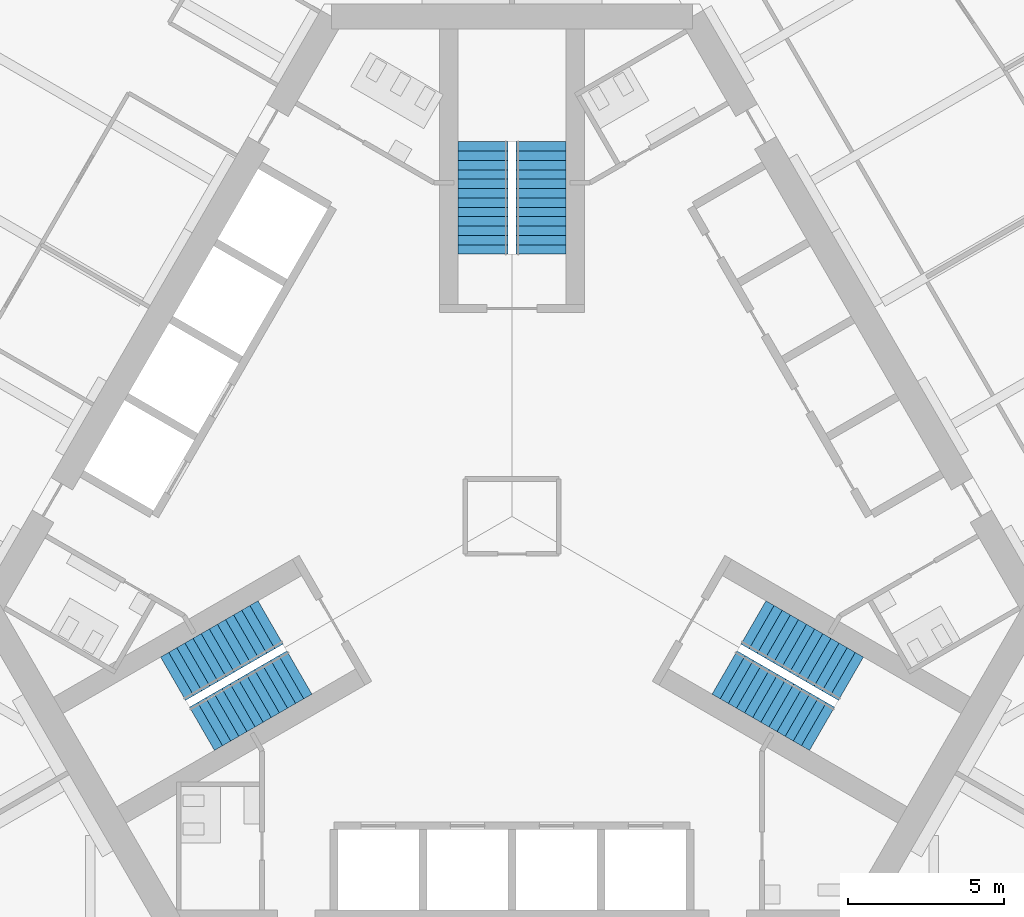
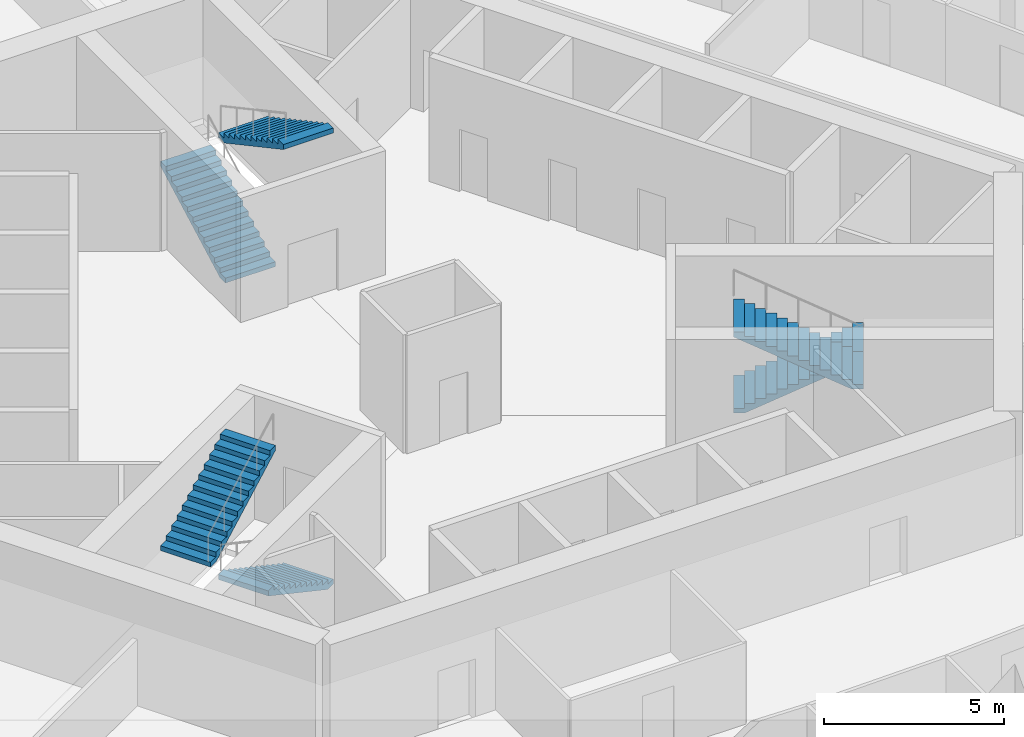
# One storey, part 15 of 20: 6 stair flights, 3 elements without a shape of their own.
"""IFC4 building model written with IfcOpenShell, lengths in metres."""

from ifc_helpers import new_model, si_unit, direction, frame, origin, place, context, subcontext, project, spatial, polyline, outline, extrude, material, type_object, element, aggregate, save


model = new_model("IFC4")

# Units and contexts
model_context = context("Model", 3, precision=1e-05, world=origin(), true_north=direction((0.0, 1.0)))
body_context = subcontext(model_context, "Body", "Model", "MODEL_VIEW")
ifc_project = project(units=[si_unit("LENGTHUNIT", "METRE"), si_unit("AREAUNIT", "SQUARE_METRE"), si_unit("VOLUMEUNIT", "CUBIC_METRE"), si_unit("PLANEANGLEUNIT", "RADIAN"), si_unit("MASSUNIT", "GRAM", prefix="KILO")], contexts=[model_context])

# Site, building, storey
site_placement = place(None, origin())
site = spatial("IfcSite", under=ifc_project, at=site_placement, CompositionType="ELEMENT")
building_placement = place(site_placement, origin())
building = spatial("IfcBuilding", under=site, at=building_placement, Name="Trefoil Bronze Tower", CompositionType="ELEMENT")
storey_placement = place(building_placement, frame((0.0, 0.0, 210.699951171875)))
storey = spatial("IfcBuildingStorey", under=building, at=storey_placement, Name="L48", CompositionType="ELEMENT", Elevation=210.699951171875)

# Stair, stair flights
ifc_material_1 = material(Name="Precast concrete B80", Category="concrete")
stair_type = type_object("IfcStairType", Name="Exit stair 26 risers", PredefinedType="HALF_TURN_STAIR", material=ifc_material_1)
stair_1_placement = place(storey_placement, origin())
stair_1 = element("IfcStair", 1, at=stair_1_placement, inside=storey, type_object=stair_type, Name="Stair ST1 L48", PredefinedType="HALF_TURN_STAIR")
ifc_material_2 = material(Name="Precast concrete B80", Category="concrete")
stair_flight_type = type_object("IfcStairFlightType", Name="Stair flight 1600", PredefinedType="STRAIGHT", material=ifc_material_2)
stair_flight_1_placement = place(storey_placement, frame((7.728515625, -3.39404296875, 0.0), z_axis=(0.0, 0.0, 1.0), x_axis=(0.866025403784, -0.5, 0.0)))
stair_flight_1 = element("IfcStairFlight", 2, at=stair_flight_1_placement, type_object=stair_flight_type, Name="ST1 flight 1", NumberOfRisers=13, NumberOfTreads=12, PredefinedType="STRAIGHT", RiserHeight=0.161538462, TreadLength=0.3, context=body_context, shape_type="SweptSolid", body=[
    extrude(outline(polyline([(0.0, 0.0), (0.0, 0.16162109375), (0.300048828125, 0.16162109375), (0.300048828125, 0.322998046875), (0.60009765625, 0.322998046875), (0.60009765625, 0.484619140625), (0.89990234375, 0.484619140625), (0.89990234375, 0.646240234375), (1.199951171875, 0.646240234375), (1.199951171875, 0.8076171875), (1.5, 0.8076171875), (1.5, 0.96923828125), (1.800048828125, 0.96923828125), (1.800048828125, 1.130859375), (2.10009765625, 1.130859375), (2.10009765625, 1.292236328125), (2.39990234375, 1.292236328125), (2.39990234375, 1.453857421875), (2.699951171875, 1.453857421875), (2.699951171875, 1.615478515625), (3.0, 1.615478515625), (3.0, 1.77685546875), (3.300048828125, 1.77685546875), (3.300048828125, 1.9384765625), (3.60009765625, 1.9384765625), (3.60009765625, 2.10009765625), (3.60009765625, 1.768310546875), (0.316162109375, 0.0), (0.0, 0.0)])), frame((0.0, 0.800048828125, 0.0), z_axis=(0.0, -1.0, 0.0), x_axis=(1.0, 0.0, 0.0)), (0.0, 0.0, 1.0), 1.60009765625),
])
stair_flight_2_placement = place(storey_placement, frame((9.921142578125, -6.796142578125, 2.10009765625), z_axis=(0.0, 0.0, 1.0), x_axis=(-0.866025403784, 0.5, 0.0)))
stair_flight_2 = element("IfcStairFlight", 3, at=stair_flight_2_placement, type_object=stair_flight_type, Name="ST1 flight 2", NumberOfRisers=13, NumberOfTreads=12, PredefinedType="STRAIGHT", RiserHeight=0.161538462, TreadLength=0.3, context=body_context, shape_type="SweptSolid", body=[
    extrude(outline(polyline([(0.0, 0.0), (0.0, 0.16162109375), (0.300048828125, 0.16162109375), (0.300048828125, 0.322998046875), (0.60009765625, 0.322998046875), (0.60009765625, 0.484619140625), (0.89990234375, 0.484619140625), (0.89990234375, 0.646240234375), (1.199951171875, 0.646240234375), (1.199951171875, 0.8076171875), (1.5, 0.8076171875), (1.5, 0.96923828125), (1.800048828125, 0.96923828125), (1.800048828125, 1.130859375), (2.10009765625, 1.130859375), (2.10009765625, 1.292236328125), (2.39990234375, 1.292236328125), (2.39990234375, 1.453857421875), (2.699951171875, 1.453857421875), (2.699951171875, 1.615478515625), (3.0, 1.615478515625), (3.0, 1.77685546875), (3.300048828125, 1.77685546875), (3.300048828125, 1.9384765625), (3.60009765625, 1.9384765625), (3.60009765625, 2.10009765625), (3.60009765625, 1.768310546875), (0.316162109375, 0.0), (0.0, 0.0)])), frame((0.0, 0.800048828125, 0.0), z_axis=(0.0, -1.0, 0.0), x_axis=(1.0, 0.0, 0.0)), (0.0, 0.0, 1.0), 1.60009765625),
])
aggregate(stair_1, [stair_flight_1, stair_flight_2])

stair_2_placement = place(storey_placement, origin())
stair_2 = element("IfcStair", 4, at=stair_2_placement, inside=storey, type_object=stair_type, Name="Stair ST2 L48", PredefinedType="HALF_TURN_STAIR")
stair_flight_3_placement = place(storey_placement, frame((-0.925048828125, 8.389892578125, 0.0), z_axis=(0.0, 0.0, 1.0), x_axis=(0.0, 1.0, 0.0)))
stair_flight_3 = element("IfcStairFlight", 5, at=stair_flight_3_placement, type_object=stair_flight_type, Name="ST2 flight 1", NumberOfRisers=13, NumberOfTreads=12, PredefinedType="STRAIGHT", RiserHeight=0.161538462, TreadLength=0.3, context=body_context, shape_type="SweptSolid", body=[
    extrude(outline(polyline([(0.0, 0.0), (0.0, 0.16162109375), (0.300048828125, 0.16162109375), (0.300048828125, 0.322998046875), (0.60009765625, 0.322998046875), (0.60009765625, 0.484619140625), (0.89990234375, 0.484619140625), (0.89990234375, 0.646240234375), (1.199951171875, 0.646240234375), (1.199951171875, 0.8076171875), (1.5, 0.8076171875), (1.5, 0.96923828125), (1.800048828125, 0.96923828125), (1.800048828125, 1.130859375), (2.10009765625, 1.130859375), (2.10009765625, 1.292236328125), (2.39990234375, 1.292236328125), (2.39990234375, 1.453857421875), (2.699951171875, 1.453857421875), (2.699951171875, 1.615478515625), (3.0, 1.615478515625), (3.0, 1.77685546875), (3.300048828125, 1.77685546875), (3.300048828125, 1.9384765625), (3.60009765625, 1.9384765625), (3.60009765625, 2.10009765625), (3.60009765625, 1.768310546875), (0.316162109375, 0.0), (0.0, 0.0)])), frame((0.0, 0.800048828125, 0.0), z_axis=(0.0, -1.0, 0.0), x_axis=(1.0, 0.0, 0.0)), (0.0, 0.0, 1.0), 1.60009765625),
])
stair_flight_4_placement = place(storey_placement, frame((0.925048828125, 11.989990234375, 2.10009765625), z_axis=(0.0, 0.0, 1.0), x_axis=(0.0, -1.0, 0.0)))
stair_flight_4 = element("IfcStairFlight", 6, at=stair_flight_4_placement, type_object=stair_flight_type, Name="ST2 flight 2", NumberOfRisers=13, NumberOfTreads=12, PredefinedType="STRAIGHT", RiserHeight=0.161538462, TreadLength=0.3, context=body_context, shape_type="SweptSolid", body=[
    extrude(outline(polyline([(0.0, 0.0), (0.0, 0.16162109375), (0.300048828125, 0.16162109375), (0.300048828125, 0.322998046875), (0.60009765625, 0.322998046875), (0.60009765625, 0.484619140625), (0.89990234375, 0.484619140625), (0.89990234375, 0.646240234375), (1.199951171875, 0.646240234375), (1.199951171875, 0.8076171875), (1.5, 0.8076171875), (1.5, 0.96923828125), (1.800048828125, 0.96923828125), (1.800048828125, 1.130859375), (2.10009765625, 1.130859375), (2.10009765625, 1.292236328125), (2.39990234375, 1.292236328125), (2.39990234375, 1.453857421875), (2.699951171875, 1.453857421875), (2.699951171875, 1.615478515625), (3.0, 1.615478515625), (3.0, 1.77685546875), (3.300048828125, 1.77685546875), (3.300048828125, 1.9384765625), (3.60009765625, 1.9384765625), (3.60009765625, 2.10009765625), (3.60009765625, 1.768310546875), (0.316162109375, 0.0), (0.0, 0.0)])), frame((0.0, 0.800048828125, 0.0), z_axis=(0.0, -1.0, 0.0), x_axis=(1.0, 0.0, 0.0)), (0.0, 0.0, 1.0), 1.60009765625),
])
aggregate(stair_2, [stair_flight_3, stair_flight_4])

stair_3_placement = place(storey_placement, origin())
stair_3 = element("IfcStair", 7, at=stair_3_placement, inside=storey, type_object=stair_type, Name="Stair ST3 L48", PredefinedType="HALF_TURN_STAIR")
stair_flight_5_placement = place(storey_placement, frame((-6.803466796875, -4.99609375, 0.0), z_axis=(0.0, 0.0, 1.0), x_axis=(-0.866025403784, -0.5, 0.0)))
stair_flight_5 = element("IfcStairFlight", 8, at=stair_flight_5_placement, type_object=stair_flight_type, Name="ST3 flight 1", NumberOfRisers=13, NumberOfTreads=12, PredefinedType="STRAIGHT", RiserHeight=0.161538462, TreadLength=0.3, context=body_context, shape_type="SweptSolid", body=[
    extrude(outline(polyline([(0.0, 0.0), (0.0, 0.16162109375), (0.300048828125, 0.16162109375), (0.300048828125, 0.322998046875), (0.60009765625, 0.322998046875), (0.60009765625, 0.484619140625), (0.89990234375, 0.484619140625), (0.89990234375, 0.646240234375), (1.199951171875, 0.646240234375), (1.199951171875, 0.8076171875), (1.5, 0.8076171875), (1.5, 0.96923828125), (1.800048828125, 0.96923828125), (1.800048828125, 1.130859375), (2.10009765625, 1.130859375), (2.10009765625, 1.292236328125), (2.39990234375, 1.292236328125), (2.39990234375, 1.453857421875), (2.699951171875, 1.453857421875), (2.699951171875, 1.615478515625), (3.0, 1.615478515625), (3.0, 1.77685546875), (3.300048828125, 1.77685546875), (3.300048828125, 1.9384765625), (3.60009765625, 1.9384765625), (3.60009765625, 2.10009765625), (3.60009765625, 1.768310546875), (0.316162109375, 0.0), (0.0, 0.0)])), frame((0.0, 0.800048828125, 0.0), z_axis=(0.0, -1.0, 0.0), x_axis=(1.0, 0.0, 0.0)), (0.0, 0.0, 1.0), 1.60009765625),
])
stair_flight_6_placement = place(storey_placement, frame((-10.84619140625, -5.19384765625, 2.10009765625), z_axis=(0.0, 0.0, 1.0), x_axis=(0.866025403784, 0.5, 0.0)))
stair_flight_6 = element("IfcStairFlight", 9, at=stair_flight_6_placement, type_object=stair_flight_type, Name="ST3 flight 2", NumberOfRisers=13, NumberOfTreads=12, PredefinedType="STRAIGHT", RiserHeight=0.161538462, TreadLength=0.3, context=body_context, shape_type="SweptSolid", body=[
    extrude(outline(polyline([(0.0, 0.0), (0.0, 0.16162109375), (0.300048828125, 0.16162109375), (0.300048828125, 0.322998046875), (0.60009765625, 0.322998046875), (0.60009765625, 0.484619140625), (0.89990234375, 0.484619140625), (0.89990234375, 0.646240234375), (1.199951171875, 0.646240234375), (1.199951171875, 0.8076171875), (1.5, 0.8076171875), (1.5, 0.96923828125), (1.800048828125, 0.96923828125), (1.800048828125, 1.130859375), (2.10009765625, 1.130859375), (2.10009765625, 1.292236328125), (2.39990234375, 1.292236328125), (2.39990234375, 1.453857421875), (2.699951171875, 1.453857421875), (2.699951171875, 1.615478515625), (3.0, 1.615478515625), (3.0, 1.77685546875), (3.300048828125, 1.77685546875), (3.300048828125, 1.9384765625), (3.60009765625, 1.9384765625), (3.60009765625, 2.10009765625), (3.60009765625, 1.768310546875), (0.316162109375, 0.0), (0.0, 0.0)])), frame((0.0, 0.800048828125, 0.0), z_axis=(0.0, -1.0, 0.0), x_axis=(1.0, 0.0, 0.0)), (0.0, 0.0, 1.0), 1.60009765625),
])
aggregate(stair_3, [stair_flight_5, stair_flight_6])

save(model, "model.ifc")
